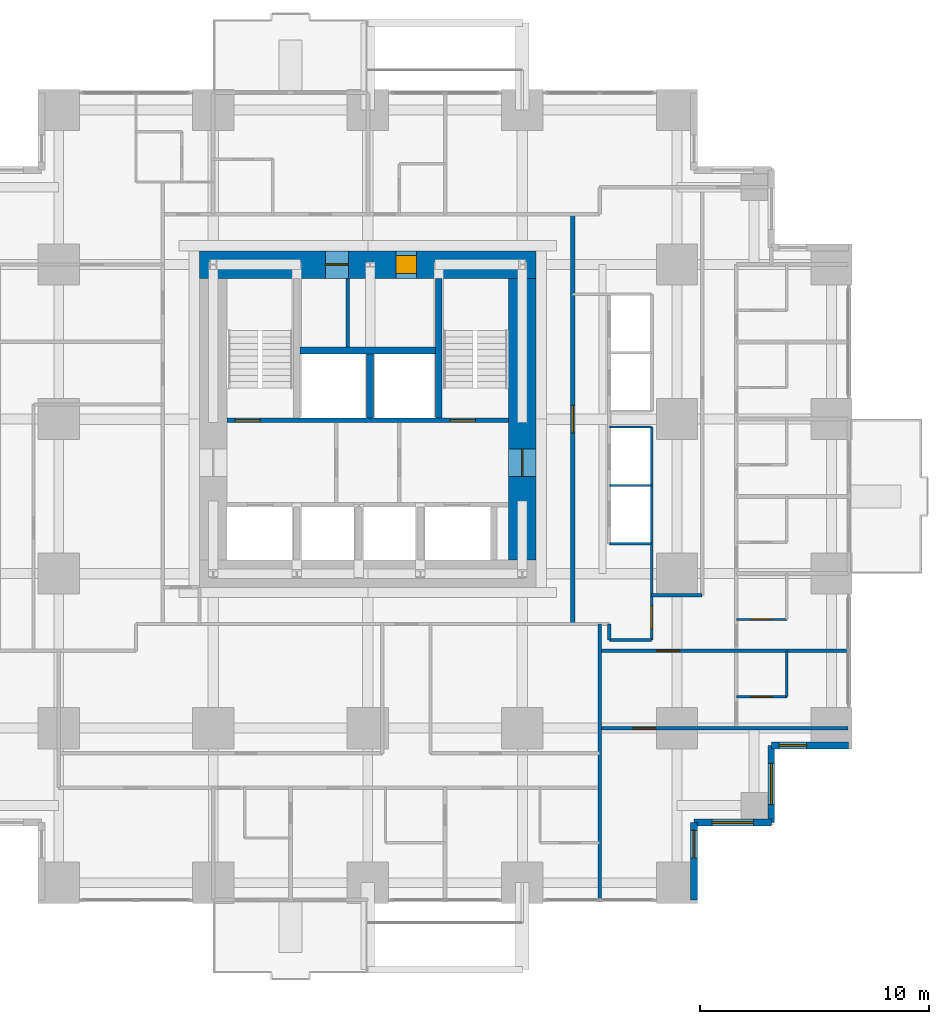
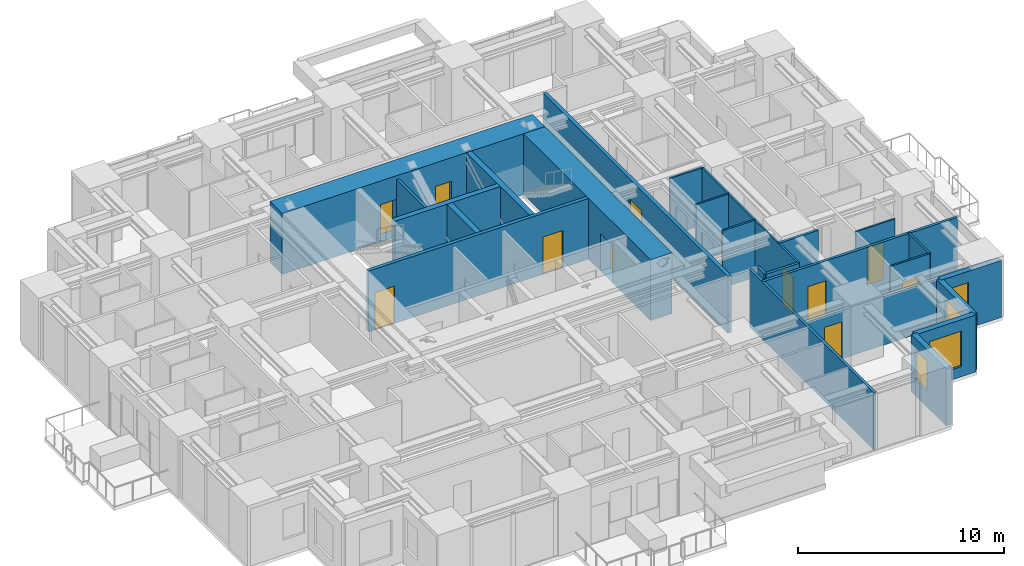
# One storey, part 9 of 13: 25 walls, 11 doors, 4 windows, 15 openings.
"""IFC4 building model written with IfcOpenShell, lengths in metres."""

from ifc_helpers import new_model, si_unit, direction, frame, frame_2d, origin, place, context, subcontext, project, spatial, rectangle, extrude, material, layer, layer_set, type_object, element, fill, save


model = new_model("IFC4")

# Units and contexts
model_context = context("Model", 3, precision=1e-05, world=origin(), true_north=direction((0.0, 1.0)))
body_context = subcontext(model_context, "Body", "Model", "MODEL_VIEW")
ifc_project = project(units=[si_unit("LENGTHUNIT", "METRE"), si_unit("AREAUNIT", "SQUARE_METRE"), si_unit("VOLUMEUNIT", "CUBIC_METRE"), si_unit("PLANEANGLEUNIT", "RADIAN"), si_unit("MASSUNIT", "GRAM", prefix="KILO")], contexts=[model_context])

# Site, building, storey
site_placement = place(None, origin())
site = spatial("IfcSite", under=ifc_project, at=site_placement, CompositionType="ELEMENT")
building_placement = place(site_placement, origin())
building = spatial("IfcBuilding", under=site, at=building_placement, Name="Nyansa Garden Tower", CompositionType="ELEMENT")
storey_placement = place(building_placement, frame((0.0, 0.0, 94.5)))
storey = spatial("IfcBuildingStorey", under=building, at=storey_placement, Name="L25", CompositionType="ELEMENT", Elevation=94.5)

# Wall, openings, doors
ifc_material_1 = material(Name="Concrete C70/85", Category="concrete")
ifc_layer_1 = layer(ifc_material_1, 0.199951171875)
ifc_layer_set_1 = layer_set([ifc_layer_1], Name="Core inner wall CI200")
wall_type_1 = type_object("IfcWallType", Name="Core inner wall CI200", PredefinedType="SHEAR", material=ifc_layer_set_1)
wall_1_placement = place(storey_placement, frame((14.10009765625, 20.199951171875, 0.0), z_axis=(0.0, 0.0, 1.0), x_axis=(1.0, 0.0, 0.0)))
wall_1 = element("IfcWall", 1, at=wall_1_placement, inside=storey, type_object=wall_type_1, Name="Core inner wall L25", PredefinedType="SHEAR", context=body_context, shape_type="SweptSolid", body=[
    extrude(rectangle(XDim=12.2998046875, YDim=0.199951171875, at=frame_2d((6.14990234375, 0.0))), origin(), (0.0, 0.0, 1.0), 3.60009765625),
])
opening_1_placement = place(wall_1_placement, frame((0.35009765625, 0.0, 0.0)))
opening_1 = element("IfcOpeningElement", 2, at=opening_1_placement, cuts=wall_1, Name="Opening D05", PredefinedType="OPENING", context=body_context, shape_type="SweptSolid", body=[
    extrude(rectangle(XDim=1.10009765625, YDim=2.199951171875, at=frame_2d((0.550048828125, 1.10009765625))), frame((0.0, 0.10986328125, 0.0), z_axis=(0.0, -1.0, 0.0), x_axis=(1.0, 0.0, 0.0)), (0.0, 0.0, 1.0), 0.219970703125),
])
opening_2_placement = place(wall_1_placement, frame((9.75, 0.0, 0.0)))
opening_2 = element("IfcOpeningElement", 3, at=opening_2_placement, cuts=wall_1, Name="Opening D05", PredefinedType="OPENING", context=body_context, shape_type="SweptSolid", body=[
    extrude(rectangle(XDim=1.10009765625, YDim=2.199951171875, at=frame_2d((0.550048828125, 1.10009765625))), frame((0.0, 0.10986328125, 0.0), z_axis=(0.0, -1.0, 0.0), x_axis=(1.0, 0.0, 0.0)), (0.0, 0.0, 1.0), 0.219970703125),
])
ifc_material_2 = material(Name="Steel door, 120 minute fire resisting", Category="steel")
door_type_1 = type_object("IfcDoorType", Name="Stair door D05 1100x2200", OperationType="SINGLE_SWING_LEFT", PredefinedType="DOOR", material=ifc_material_2)
door_1_placement = place(opening_1_placement, origin())
door_1 = element("IfcDoor", 4, at=door_1_placement, inside=storey, type_object=door_type_1, Name="Stair S1 door", OperationType="SINGLE_SWING_LEFT", OverallHeight=2.199951171875, OverallWidth=1.10009765625, PredefinedType="DOOR", context=body_context, shape_type="SweptSolid", body=[
    extrude(rectangle(XDim=1.10009765625, YDim=2.199951171875, at=frame_2d((0.550048828125, 1.10009765625))), frame((0.0, 0.02490234375, 0.0), z_axis=(0.0, -1.0, 0.0), x_axis=(1.0, 0.0, 0.0)), (0.0, 0.0, 1.0), 0.050048828125),
])
fill(opening_1, door_1)
door_2_placement = place(opening_2_placement, origin())
door_2 = element("IfcDoor", 5, at=door_2_placement, inside=storey, type_object=door_type_1, Name="Stair S2 door", OperationType="SINGLE_SWING_LEFT", OverallHeight=2.199951171875, OverallWidth=1.10009765625, PredefinedType="DOOR", context=body_context, shape_type="SweptSolid", body=[
    extrude(rectangle(XDim=1.10009765625, YDim=2.199951171875, at=frame_2d((0.550048828125, 1.10009765625))), frame((0.0, 0.02490234375, 0.0), z_axis=(0.0, -1.0, 0.0), x_axis=(1.0, 0.0, 0.0)), (0.0, 0.0, 1.0), 0.050048828125),
])
fill(opening_2, door_2)

# Walls
ifc_material_3 = material(Name="Concrete C70/85", Category="concrete")
ifc_layer_2 = layer(ifc_material_3, 0.300048828125)
ifc_layer_set_2 = layer_set([ifc_layer_2], Name="Core inner wall CI300")
wall_type_2 = type_object("IfcWallType", Name="Core inner wall CI300", PredefinedType="SHEAR", material=ifc_layer_set_2)
wall_2_placement = place(storey_placement, frame((23.35009765625, 20.300048828125, 0.0), z_axis=(0.0, 0.0, 1.0), x_axis=(0.0, 1.0, 0.0)))
element("IfcWall", 6, at=wall_2_placement, inside=storey, type_object=wall_type_2, Name="Core inner wall L25", PredefinedType="SHEAR", context=body_context, shape_type="SweptSolid", body=[
    extrude(rectangle(XDim=6.099853515625, YDim=0.300048828125, at=frame_2d((3.0498046875, 0.0))), origin(), (0.0, 0.0, 1.0), 3.60009765625),
])
wall_3_placement = place(storey_placement, frame((20.35009765625, 20.300048828125, 0.0), z_axis=(0.0, 0.0, 1.0), x_axis=(0.0, 1.0, 0.0)))
element("IfcWall", 7, at=wall_3_placement, inside=storey, type_object=wall_type_2, Name="Core inner wall L25", PredefinedType="SHEAR", context=body_context, shape_type="SweptSolid", body=[
    extrude(rectangle(XDim=2.800048828125, YDim=0.300048828125, at=frame_2d((1.39990234375, 0.0))), origin(), (0.0, 0.0, 1.0), 3.60009765625),
])
wall_4_placement = place(storey_placement, frame((17.300048828125, 23.25, 0.0), z_axis=(0.0, 0.0, 1.0), x_axis=(1.0, 0.0, 0.0)))
element("IfcWall", 8, at=wall_4_placement, inside=storey, type_object=wall_type_2, Name="Core inner wall L25", PredefinedType="SHEAR", context=body_context, shape_type="SweptSolid", body=[
    extrude(rectangle(XDim=5.89990234375, YDim=0.300048828125, at=frame_2d((2.949951171875, 0.0))), origin(), (0.0, 0.0, 1.0), 3.60009765625),
])

# Wall, opening, door
ifc_material_4 = material(Name="Concrete C80/95", Category="concrete")
ifc_layer_3 = layer(ifc_material_4, 1.199951171875)
ifc_layer_set_3 = layer_set([ifc_layer_3], Name="Core wall CW1200")
wall_type_3 = type_object("IfcWallType", Name="Core wall CW1200", PredefinedType="SHEAR", material=ifc_layer_set_3)
wall_5_placement = place(storey_placement, frame((27.0, 14.10009765625, 0.0), z_axis=(0.0, 0.0, 1.0), x_axis=(0.0, 1.0, 0.0)))
wall_5 = element("IfcWall", 9, at=wall_5_placement, inside=storey, type_object=wall_type_3, Name="Core wall E L25", PredefinedType="SHEAR", context=body_context, shape_type="SweptSolid", body=[
    extrude(rectangle(XDim=12.2998046875, YDim=1.199951171875, at=frame_2d((6.14990234375, 0.0))), origin(), (0.0, 0.0, 1.0), 3.60009765625),
])
opening_3_placement = place(wall_5_placement, frame((3.64990234375, 0.0, 0.0)))
opening_3 = element("IfcOpeningElement", 10, at=opening_3_placement, cuts=wall_5, Name="Opening D06", PredefinedType="OPENING", context=body_context, shape_type="SweptSolid", body=[
    extrude(rectangle(XDim=1.199951171875, YDim=2.199951171875, at=frame_2d((0.60009765625, 1.10009765625))), frame((0.0, 0.60986328125, 0.0), z_axis=(0.0, -1.0, 0.0), x_axis=(1.0, 0.0, 0.0)), (0.0, 0.0, 1.0), 1.219970703125),
])
ifc_material_5 = material(Name="Steel door, 120 minute fire resisting", Category="steel")
door_type_2 = type_object("IfcDoorType", Name="Lobby door D06 1200x2200", OperationType="DOUBLE_DOOR_SINGLE_SWING", PredefinedType="DOOR", material=ifc_material_5)
door_3_placement = place(opening_3_placement, origin())
door_3 = element("IfcDoor", 11, at=door_3_placement, inside=storey, type_object=door_type_2, Name="Lift lobby door east", OperationType="DOUBLE_DOOR_SINGLE_SWING", OverallHeight=2.199951171875, OverallWidth=1.199951171875, PredefinedType="DOOR", context=body_context, shape_type="SweptSolid", body=[
    extrude(rectangle(XDim=1.199951171875, YDim=2.199951171875, at=frame_2d((0.60009765625, 1.10009765625))), frame((0.0, 0.02490234375, 0.0), z_axis=(0.0, -1.0, 0.0), x_axis=(1.0, 0.0, 0.0)), (0.0, 0.0, 1.0), 0.050048828125),
])
fill(opening_3, door_3)

# Wall, openings, doors
wall_6_placement = place(storey_placement, frame((27.60009765625, 27.0, 0.0), z_axis=(0.0, 0.0, 1.0), x_axis=(-1.0, 0.0, 0.0)))
wall_6 = element("IfcWall", 12, at=wall_6_placement, inside=storey, type_object=wall_type_3, Name="Core wall N L25", PredefinedType="SHEAR", context=body_context, shape_type="SweptSolid", body=[
    extrude(rectangle(XDim=14.7001953125, YDim=1.199951171875, at=frame_2d((7.35009765625, 0.0))), origin(), (0.0, 0.0, 1.0), 3.60009765625),
])
opening_4_placement = place(wall_6_placement, frame((5.22509765625, 0.0, 0.0)))
opening_4 = element("IfcOpeningElement", 13, at=opening_4_placement, cuts=wall_6, Name="Opening D15", PredefinedType="OPENING", context=body_context, shape_type="SweptSolid", body=[
    extrude(rectangle(XDim=0.89990234375, YDim=2.199951171875, at=frame_2d((0.449951171875, 1.10009765625))), frame((0.0, 0.60986328125, 0.0), z_axis=(0.0, -1.0, 0.0), x_axis=(1.0, 0.0, 0.0)), (0.0, 0.0, 1.0), 1.219970703125),
])
opening_5_placement = place(wall_6_placement, frame((8.199951171875, 0.0, 0.0)))
opening_5 = element("IfcOpeningElement", 14, at=opening_5_placement, cuts=wall_6, Name="Opening D07", PredefinedType="OPENING", context=body_context, shape_type="SweptSolid", body=[
    extrude(rectangle(XDim=1.0, YDim=2.199951171875, at=frame_2d((0.5, 1.10009765625))), frame((0.0, 0.60986328125, 0.0), z_axis=(0.0, -1.0, 0.0), x_axis=(1.0, 0.0, 0.0)), (0.0, 0.0, 1.0), 1.219970703125),
])
ifc_material_6 = material(Name="Timber flush door, 60 minute fire resisting, self-closing", Category="wood")
door_type_3 = type_object("IfcDoorType", Name="Core room door D15 900x2200", OperationType="SINGLE_SWING_LEFT", PredefinedType="DOOR", material=ifc_material_6)
door_4_placement = place(opening_4_placement, origin())
door_4 = element("IfcDoor", 15, at=door_4_placement, inside=storey, type_object=door_type_3, Name="Core room door", OperationType="SINGLE_SWING_LEFT", OverallHeight=2.199951171875, OverallWidth=0.89990234375, PredefinedType="DOOR", context=body_context, shape_type="SweptSolid", body=[
    extrude(rectangle(XDim=0.89990234375, YDim=2.199951171875, at=frame_2d((0.449951171875, 1.10009765625))), frame((0.0, 0.39990234375, 0.0), z_axis=(0.0, -1.0, 0.0), x_axis=(1.0, 0.0, 0.0)), (0.0, 0.0, 1.0), 0.800048828125),
])
fill(opening_4, door_4)
ifc_material_7 = material(Name="Steel door, 120 minute fire resisting", Category="steel")
door_type_4 = type_object("IfcDoorType", Name="Riser door D07 1000x2200", OperationType="SINGLE_SWING_LEFT", PredefinedType="DOOR", material=ifc_material_7)
door_5_placement = place(opening_5_placement, origin())
door_5 = element("IfcDoor", 16, at=door_5_placement, inside=storey, type_object=door_type_4, Name="Riser and refuse room door", OperationType="SINGLE_SWING_LEFT", OverallHeight=2.199951171875, OverallWidth=1.0, PredefinedType="DOOR", context=body_context, shape_type="SweptSolid", body=[
    extrude(rectangle(XDim=1.0, YDim=2.199951171875, at=frame_2d((0.5, 1.10009765625))), frame((0.0, 0.02490234375, 0.0), z_axis=(0.0, -1.0, 0.0), x_axis=(1.0, 0.0, 0.0)), (0.0, 0.0, 1.0), 0.050048828125),
])
fill(opening_5, door_5)

# Wall, opening, door
ifc_material_8 = material(Name="Concrete blockwork, plastered, 60 minute fire resisting", Category="masonry")
ifc_layer_4 = layer(ifc_material_8, 0.199951171875)
ifc_layer_set_4 = layer_set([ifc_layer_4], Name="Corridor wall FW200")
wall_type_4 = type_object("IfcWallType", Name="Corridor wall FW200", PredefinedType="PARTITIONING", material=ifc_layer_set_4)
wall_7_placement = place(storey_placement, frame((29.199951171875, 11.300048828125, 0.0), z_axis=(0.0, 0.0, 1.0), x_axis=(0.0, 1.0, 0.0)))
wall_7 = element("IfcWall", 17, at=wall_7_placement, inside=storey, type_object=wall_type_4, Name="Corridor wall", PredefinedType="PARTITIONING", context=body_context, shape_type="SweptSolid", body=[
    extrude(rectangle(XDim=17.89990234375, YDim=0.199951171875, at=frame_2d((8.949951171875, 0.0))), origin(), (0.0, 0.0, 1.0), 3.375),
])
opening_6_placement = place(wall_7_placement, frame((8.35009765625, 0.0, 0.0)))
opening_6 = element("IfcOpeningElement", 18, at=opening_6_placement, cuts=wall_7, Name="Opening D06", PredefinedType="OPENING", context=body_context, shape_type="SweptSolid", body=[
    extrude(rectangle(XDim=1.199951171875, YDim=2.199951171875, at=frame_2d((0.60009765625, 1.10009765625))), frame((0.0, 0.10986328125, 0.0), z_axis=(0.0, -1.0, 0.0), x_axis=(1.0, 0.0, 0.0)), (0.0, 0.0, 1.0), 0.219970703125),
])
door_6_placement = place(opening_6_placement, origin())
door_6 = element("IfcDoor", 19, at=door_6_placement, inside=storey, type_object=door_type_2, Name="Low-rise lift lobby door", OperationType="DOUBLE_DOOR_SINGLE_SWING", OverallHeight=2.199951171875, OverallWidth=1.199951171875, PredefinedType="DOOR", context=body_context, shape_type="SweptSolid", body=[
    extrude(rectangle(XDim=1.199951171875, YDim=2.199951171875, at=frame_2d((0.60009765625, 1.10009765625))), frame((0.0, 0.02490234375, 0.0), z_axis=(0.0, -1.0, 0.0), x_axis=(1.0, 0.0, 0.0)), (0.0, 0.0, 1.0), 0.050048828125),
])
fill(opening_6, door_6)

# Walls
ifc_material_9 = material(Name="Steel-stud shaft wall, two layers fire-rated board, EI 120", Category="steel")
ifc_layer_5 = layer(ifc_material_9, 0.10009765625)
ifc_layer_set_5 = layer_set([ifc_layer_5], Name="Lift shaft wall SW100")
wall_type_5 = type_object("IfcWallType", Name="Lift shaft wall SW100", PredefinedType="SHEAR", material=ifc_layer_set_5)
for number, where, z_axis, x_axis, name in (
    (20, (30.800048828125, 14.800048828125, 0.0), (0.0, 0.0, 1.0), (1.0, 0.0, 0.0), "Lift shaft wall"),
    (21, (30.800048828125, 17.35009765625, 0.0), (0.0, 0.0, 1.0), (1.0, 0.0, 0.0), "Lift shaft wall"),
    (22, (30.800048828125, 19.89990234375, 0.0), (0.0, 0.0, 1.0), (1.0, 0.0, 0.0), "Lift shaft wall"),
):
    element("IfcWall", number, at=place(storey_placement, frame(where, z_axis=z_axis, x_axis=x_axis)), inside=storey, type_object=wall_type_5, Name=name, PredefinedType="SHEAR", context=body_context, shape_type="SweptSolid", body=[
        extrude(rectangle(XDim=1.849853515625, YDim=0.10009765625, at=frame_2d((0.9248046875, 0.0))), origin(), (0.0, 0.0, 1.0), 3.375),
    ])

# Wall, opening, door
wall_8_placement = place(storey_placement, frame((32.64990234375, 10.60009765625, 0.0), z_axis=(0.0, 0.0, 1.0), x_axis=(0.0, 1.0, 0.0)))
wall_8 = element("IfcWall", 23, at=wall_8_placement, inside=storey, type_object=wall_type_5, Name="Lift shaft wall", PredefinedType="SHEAR", context=body_context, shape_type="SweptSolid", body=[
    extrude(rectangle(XDim=9.2998046875, YDim=0.10009765625, at=frame_2d((4.64990234375, 0.0))), origin(), (0.0, 0.0, 1.0), 3.375),
])
opening_7_placement = place(wall_8_placement, frame((0.5, 0.0, 0.0)))
opening_7 = element("IfcOpeningElement", 24, at=opening_7_placement, cuts=wall_8, Name="Opening D03", PredefinedType="OPENING", context=body_context, shape_type="SweptSolid", body=[
    extrude(rectangle(XDim=1.0, YDim=2.199951171875, at=frame_2d((0.5, 1.10009765625))), frame((0.0, 0.06005859375, 0.0), z_axis=(0.0, -1.0, 0.0), x_axis=(1.0, 0.0, 0.0)), (0.0, 0.0, 1.0), 0.1201171875),
])
ifc_material_10 = material(Name="Timber flush door, 60 minute fire resisting", Category="wood")
door_type_5 = type_object("IfcDoorType", Name="Cluster entrance door D03 1000x2200", OperationType="SINGLE_SWING_LEFT", PredefinedType="DOOR", material=ifc_material_10)
door_7_placement = place(opening_7_placement, origin())
door_7 = element("IfcDoor", 25, at=door_7_placement, inside=storey, type_object=door_type_5, Name="Door L25-041", OperationType="SINGLE_SWING_LEFT", OverallHeight=2.199951171875, OverallWidth=1.0, PredefinedType="DOOR", context=body_context, shape_type="SweptSolid", body=[
    extrude(rectangle(XDim=1.0, YDim=2.199951171875, at=frame_2d((0.5, 1.10009765625))), frame((0.0, 0.02490234375, 0.0), z_axis=(0.0, -1.0, 0.0), x_axis=(1.0, 0.0, 0.0)), (0.0, 0.0, 1.0), 0.050048828125),
])
fill(opening_7, door_7)

# Walls
ifc_material_11 = material(Name="Blockwork, plastered both sides", Category="masonry")
ifc_layer_6 = layer(ifc_material_11, 0.14990234375)
ifc_layer_set_6 = layer_set([ifc_layer_6], Name="Partition PW150")
wall_type_6 = type_object("IfcWallType", Name="Partition PW150", PredefinedType="PARTITIONING", material=ifc_layer_set_6)
wall_9_placement = place(storey_placement, frame((19.375, 23.39990234375, 0.0), z_axis=(0.0, 0.0, 1.0), x_axis=(0.0, 1.0, 0.0)))
element("IfcWall", 26, at=wall_9_placement, inside=storey, type_object=wall_type_6, Name="Partition", PredefinedType="PARTITIONING", context=body_context, shape_type="SweptSolid", body=[
    extrude(rectangle(XDim=3.0, YDim=0.14990234375, at=frame_2d((1.5, 0.0))), origin(), (0.0, 0.0, 1.0), 3.375),
])
wall_10_placement = place(storey_placement, frame((30.375, -0.73388671875, 0.0), z_axis=(0.0, 0.0, 1.0), x_axis=(0.0, 1.0, 0.0)))
element("IfcWall", 27, at=wall_10_placement, inside=storey, type_object=wall_type_6, Name="Partition", PredefinedType="PARTITIONING", context=body_context, shape_type="SweptSolid", body=[
    extrude(rectangle(XDim=12.033935546875, YDim=0.14990234375, at=frame_2d((6.01708984375, 0.0))), origin(), (0.0, 0.0, 1.0), 3.375),
])

# Wall, opening, door
wall_11_placement = place(storey_placement, frame((30.375, 6.75, 0.0), z_axis=(0.0, 0.0, 1.0), x_axis=(1.0, 0.0, 0.0)))
wall_11 = element("IfcWall", 28, at=wall_11_placement, inside=storey, type_object=wall_type_6, Name="Partition", PredefinedType="PARTITIONING", context=body_context, shape_type="SweptSolid", body=[
    extrude(rectangle(XDim=10.85888671875, YDim=0.14990234375, at=frame_2d((5.429443359375, 0.0))), origin(), (0.0, 0.0, 1.0), 2.876953125),
])
opening_8_placement = place(wall_11_placement, frame((1.449951171875, 0.0, 0.0)))
opening_8 = element("IfcOpeningElement", 29, at=opening_8_placement, cuts=wall_11, Name="Opening D03", PredefinedType="OPENING", context=body_context, shape_type="SweptSolid", body=[
    extrude(rectangle(XDim=1.0, YDim=2.199951171875, at=frame_2d((0.5, 1.10009765625))), frame((0.0, 0.0849609375, 0.0), z_axis=(0.0, -1.0, 0.0), x_axis=(1.0, 0.0, 0.0)), (0.0, 0.0, 1.0), 0.169921875),
])
door_8_placement = place(opening_8_placement, origin())
door_8 = element("IfcDoor", 30, at=door_8_placement, inside=storey, type_object=door_type_5, Name="Door L25-027", OperationType="SINGLE_SWING_LEFT", OverallHeight=2.199951171875, OverallWidth=1.0, PredefinedType="DOOR", context=body_context, shape_type="SweptSolid", body=[
    extrude(rectangle(XDim=1.0, YDim=2.199951171875, at=frame_2d((0.5, 1.10009765625))), frame((0.0, 0.02490234375, 0.0), z_axis=(0.0, -1.0, 0.0), x_axis=(1.0, 0.0, 0.0)), (0.0, 0.0, 1.0), 0.050048828125),
])
fill(opening_8, door_8)

wall_12_placement = place(storey_placement, frame((30.375, 10.125, 0.0), z_axis=(0.0, 0.0, 1.0), x_axis=(1.0, 0.0, 0.0)))
wall_12 = element("IfcWall", 31, at=wall_12_placement, inside=storey, type_object=wall_type_6, Name="Partition", PredefinedType="PARTITIONING", context=body_context, shape_type="SweptSolid", body=[
    extrude(rectangle(XDim=10.85888671875, YDim=0.14990234375, at=frame_2d((5.429443359375, 0.0))), origin(), (0.0, 0.0, 1.0), 3.375),
])
opening_9_placement = place(wall_12_placement, frame((2.5, 0.0, 0.0)))
opening_9 = element("IfcOpeningElement", 32, at=opening_9_placement, cuts=wall_12, Name="Opening D03", PredefinedType="OPENING", context=body_context, shape_type="SweptSolid", body=[
    extrude(rectangle(XDim=1.0, YDim=2.199951171875, at=frame_2d((0.5, 1.10009765625))), frame((0.0, 0.0849609375, 0.0), z_axis=(0.0, -1.0, 0.0), x_axis=(1.0, 0.0, 0.0)), (0.0, 0.0, 1.0), 0.169921875),
])
door_9_placement = place(opening_9_placement, origin())
door_9 = element("IfcDoor", 33, at=door_9_placement, inside=storey, type_object=door_type_5, Name="Door L25-030", OperationType="SINGLE_SWING_LEFT", OverallHeight=2.199951171875, OverallWidth=1.0, PredefinedType="DOOR", context=body_context, shape_type="SweptSolid", body=[
    extrude(rectangle(XDim=1.0, YDim=2.199951171875, at=frame_2d((0.5, 1.10009765625))), frame((0.0, 0.02490234375, 0.0), z_axis=(0.0, -1.0, 0.0), x_axis=(1.0, 0.0, 0.0)), (0.0, 0.0, 1.0), 0.050048828125),
])
fill(opening_9, door_9)

# Walls
wall_13_placement = place(storey_placement, frame((30.800048828125, 10.60009765625, 0.0), z_axis=(0.0, 0.0, 1.0), x_axis=(0.0, 1.0, 0.0)))
element("IfcWall", 34, at=wall_13_placement, inside=storey, type_object=wall_type_6, Name="Partition", PredefinedType="PARTITIONING", context=body_context, shape_type="SweptSolid", body=[
    extrude(rectangle(XDim=0.699951171875, YDim=0.14990234375, at=frame_2d((0.35009765625, 0.0))), origin(), (0.0, 0.0, 1.0), 3.375),
])
wall_14_placement = place(storey_placement, frame((30.800048828125, 10.60009765625, 0.0), z_axis=(0.0, 0.0, 1.0), x_axis=(1.0, 0.0, 0.0)))
element("IfcWall", 35, at=wall_14_placement, inside=storey, type_object=wall_type_6, Name="Partition", PredefinedType="PARTITIONING", context=body_context, shape_type="SweptSolid", body=[
    extrude(rectangle(XDim=1.849853515625, YDim=0.14990234375, at=frame_2d((0.9248046875, 0.0))), origin(), (0.0, 0.0, 1.0), 3.375),
])
wall_15_placement = place(storey_placement, frame((32.64990234375, 12.550048828125, 0.0), z_axis=(0.0, 0.0, 1.0), x_axis=(1.0, 0.0, 0.0)))
element("IfcWall", 36, at=wall_15_placement, inside=storey, type_object=wall_type_6, Name="Partition", PredefinedType="PARTITIONING", context=body_context, shape_type="SweptSolid", body=[
    extrude(rectangle(XDim=2.2001953125, YDim=0.14990234375, at=frame_2d((1.10009765625, 0.0))), origin(), (0.0, 0.0, 1.0), 3.375),
])

# Wall, opening, window
ifc_material_12 = material(Name="Turquoise glazed tile on concrete blockwork", Category="masonry")
ifc_layer_7 = layer(ifc_material_12, 0.300048828125)
ifc_layer_set_7 = layer_set([ifc_layer_7], Name="Tiled corner wall TW300")
wall_type_7 = type_object("IfcWallType", Name="Tiled corner wall TW300", PredefinedType="SOLIDWALL", material=ifc_layer_set_7)
wall_16_placement = place(storey_placement, frame((34.5, -0.75, 0.0), z_axis=(0.0, 0.0, 1.0), x_axis=(0.0, 1.0, 0.0)))
wall_16 = element("IfcWall", 37, at=wall_16_placement, inside=storey, type_object=wall_type_7, Name="Tiled corner wall L25", PredefinedType="SOLIDWALL", context=body_context, shape_type="SweptSolid", body=[
    extrude(rectangle(XDim=3.375, YDim=0.300048828125, at=frame_2d((1.6875, 0.0))), origin(), (0.0, 0.0, 1.0), 3.375),
])
opening_10_placement = place(wall_16_placement, frame((1.83251953125, 0.0, 0.89990234375)))
opening_10 = element("IfcOpeningElement", 38, at=opening_10_placement, cuts=wall_16, Name="Opening W4", PredefinedType="OPENING", context=body_context, shape_type="SweptSolid", body=[
    extrude(rectangle(XDim=1.199951171875, YDim=1.800048828125, at=frame_2d((0.60009765625, 0.89990234375))), frame((0.0, 0.159912109375, 0.0), z_axis=(0.0, -1.0, 0.0), x_axis=(1.0, 0.0, 0.0)), (0.0, 0.0, 1.0), 0.320068359375),
])
ifc_material_13 = material(Name="Black aluminium frame, dark tinted double glazing", Category="aluminium")
window_type_1 = type_object("IfcWindowType", Name="Window W4 1200x1800", PartitioningType="SINGLE_PANEL", PredefinedType="WINDOW", material=ifc_material_13)
window_1_placement = place(opening_10_placement, origin())
window_1 = element("IfcWindow", 39, at=window_1_placement, inside=storey, type_object=window_type_1, Name="Corner window L25", OverallHeight=1.800048828125, OverallWidth=1.199951171875, PartitioningType="SINGLE_PANEL", PredefinedType="WINDOW", context=body_context, shape_type="SweptSolid", body=[
    extrude(rectangle(XDim=1.199951171875, YDim=1.800048828125, at=frame_2d((0.60009765625, 0.89990234375))), frame((0.0, 0.030029296875, 0.0), z_axis=(0.0, -1.0, 0.0), x_axis=(1.0, 0.0, 0.0)), (0.0, 0.0, 1.0), 0.06005859375),
])
fill(opening_10, window_1)

wall_17_placement = place(storey_placement, frame((34.5, 2.625, 0.0), z_axis=(0.0, 0.0, 1.0), x_axis=(1.0, 0.0, 0.0)))
wall_17 = element("IfcWall", 40, at=wall_17_placement, inside=storey, type_object=wall_type_7, Name="Tiled corner wall L25", PredefinedType="SOLIDWALL", context=body_context, shape_type="SweptSolid", body=[
    extrude(rectangle(XDim=3.375, YDim=0.300048828125, at=frame_2d((1.6875, 0.0))), origin(), (0.0, 0.0, 1.0), 3.375),
])
opening_11_placement = place(wall_17_placement, frame((0.78759765625, 0.0, 0.60009765625)))
opening_11 = element("IfcOpeningElement", 41, at=opening_11_placement, cuts=wall_17, Name="Opening W2", PredefinedType="OPENING", context=body_context, shape_type="SweptSolid", body=[
    extrude(rectangle(XDim=1.800048828125, YDim=2.10009765625, at=frame_2d((0.89990234375, 1.050048828125))), frame((0.0, 0.159912109375, 0.0), z_axis=(0.0, -1.0, 0.0), x_axis=(1.0, 0.0, 0.0)), (0.0, 0.0, 1.0), 0.320068359375),
])
ifc_material_14 = material(Name="Black aluminium frame, dark tinted double glazing", Category="aluminium")
window_type_2 = type_object("IfcWindowType", Name="Window W2 1800x2100", PartitioningType="SINGLE_PANEL", PredefinedType="WINDOW", material=ifc_material_14)
window_2_placement = place(opening_11_placement, origin())
window_2 = element("IfcWindow", 42, at=window_2_placement, inside=storey, type_object=window_type_2, Name="Corner window L25", OverallHeight=2.10009765625, OverallWidth=1.800048828125, PartitioningType="SINGLE_PANEL", PredefinedType="WINDOW", context=body_context, shape_type="SweptSolid", body=[
    extrude(rectangle(XDim=1.800048828125, YDim=2.10009765625, at=frame_2d((0.89990234375, 1.050048828125))), frame((0.0, 0.030029296875, 0.0), z_axis=(0.0, -1.0, 0.0), x_axis=(1.0, 0.0, 0.0)), (0.0, 0.0, 1.0), 0.06005859375),
])
fill(opening_11, window_2)

wall_18_placement = place(storey_placement, frame((37.875, 2.625, 0.0), z_axis=(0.0, 0.0, 1.0), x_axis=(0.0, 1.0, 0.0)))
wall_18 = element("IfcWall", 43, at=wall_18_placement, inside=storey, type_object=wall_type_7, Name="Tiled corner wall L25", PredefinedType="SOLIDWALL", context=body_context, shape_type="SweptSolid", body=[
    extrude(rectangle(XDim=3.375, YDim=0.300048828125, at=frame_2d((1.6875, 0.0))), origin(), (0.0, 0.0, 1.0), 3.375),
])
opening_12_placement = place(wall_18_placement, frame((0.78759765625, 0.0, 0.60009765625)))
opening_12 = element("IfcOpeningElement", 44, at=opening_12_placement, cuts=wall_18, Name="Opening W2", PredefinedType="OPENING", context=body_context, shape_type="SweptSolid", body=[
    extrude(rectangle(XDim=1.800048828125, YDim=2.10009765625, at=frame_2d((0.89990234375, 1.050048828125))), frame((0.0, 0.159912109375, 0.0), z_axis=(0.0, -1.0, 0.0), x_axis=(1.0, 0.0, 0.0)), (0.0, 0.0, 1.0), 0.320068359375),
])
window_3_placement = place(opening_12_placement, origin())
window_3 = element("IfcWindow", 45, at=window_3_placement, inside=storey, type_object=window_type_2, Name="Corner window L25", OverallHeight=2.10009765625, OverallWidth=1.800048828125, PartitioningType="SINGLE_PANEL", PredefinedType="WINDOW", context=body_context, shape_type="SweptSolid", body=[
    extrude(rectangle(XDim=1.800048828125, YDim=2.10009765625, at=frame_2d((0.89990234375, 1.050048828125))), frame((0.0, 0.030029296875, 0.0), z_axis=(0.0, -1.0, 0.0), x_axis=(1.0, 0.0, 0.0)), (0.0, 0.0, 1.0), 0.06005859375),
])
fill(opening_12, window_3)

wall_19_placement = place(storey_placement, frame((37.875, 6.0, 0.0), z_axis=(0.0, 0.0, 1.0), x_axis=(1.0, 0.0, 0.0)))
wall_19 = element("IfcWall", 46, at=wall_19_placement, inside=storey, type_object=wall_type_7, Name="Tiled corner wall L25", PredefinedType="SOLIDWALL", context=body_context, shape_type="SweptSolid", body=[
    extrude(rectangle(XDim=3.375, YDim=0.300048828125, at=frame_2d((1.6875, 0.0))), origin(), (0.0, 0.0, 1.0), 3.375),
])
opening_13_placement = place(wall_19_placement, frame((0.342529296875, 0.0, 0.89990234375)))
opening_13 = element("IfcOpeningElement", 47, at=opening_13_placement, cuts=wall_19, Name="Opening W4", PredefinedType="OPENING", context=body_context, shape_type="SweptSolid", body=[
    extrude(rectangle(XDim=1.199951171875, YDim=1.800048828125, at=frame_2d((0.60009765625, 0.89990234375))), frame((0.0, 0.159912109375, 0.0), z_axis=(0.0, -1.0, 0.0), x_axis=(1.0, 0.0, 0.0)), (0.0, 0.0, 1.0), 0.320068359375),
])
window_4_placement = place(opening_13_placement, origin())
window_4 = element("IfcWindow", 48, at=window_4_placement, inside=storey, type_object=window_type_1, Name="Corner window L25", OverallHeight=1.800048828125, OverallWidth=1.199951171875, PartitioningType="SINGLE_PANEL", PredefinedType="WINDOW", context=body_context, shape_type="SweptSolid", body=[
    extrude(rectangle(XDim=1.199951171875, YDim=1.800048828125, at=frame_2d((0.60009765625, 0.89990234375))), frame((0.0, 0.030029296875, 0.0), z_axis=(0.0, -1.0, 0.0), x_axis=(1.0, 0.0, 0.0)), (0.0, 0.0, 1.0), 0.06005859375),
])
fill(opening_13, window_4)

# Wall, opening, door
ifc_material_15 = material(Name="Moisture resistant board on steel studs, tiled", Category="steel")
ifc_layer_8 = layer(ifc_material_15, 0.10009765625)
ifc_layer_set_8 = layer_set([ifc_layer_8], Name="Wet wall PW100")
wall_type_8 = type_object("IfcWallType", Name="Wet wall PW100", PredefinedType="PARTITIONING", material=ifc_layer_set_8)
wall_20_placement = place(storey_placement, frame((36.35009765625, 8.125, 0.0), z_axis=(0.0, 0.0, 1.0), x_axis=(1.0, 0.0, 0.0)))
wall_20 = element("IfcWall", 49, at=wall_20_placement, inside=storey, type_object=wall_type_8, Name="Wet wall", PredefinedType="PARTITIONING", context=body_context, shape_type="SweptSolid", body=[
    extrude(rectangle(XDim=2.199951171875, YDim=0.10009765625, at=frame_2d((1.10009765625, 0.0))), origin(), (0.0, 0.0, 1.0), 3.375),
])
opening_14_placement = place(wall_20_placement, frame((0.64990234375, 0.0, 0.0)))
opening_14 = element("IfcOpeningElement", 50, at=opening_14_placement, cuts=wall_20, Name="Opening D02", PredefinedType="OPENING", context=body_context, shape_type="SweptSolid", body=[
    extrude(rectangle(XDim=0.89990234375, YDim=2.199951171875, at=frame_2d((0.449951171875, 1.10009765625))), frame((0.0, 0.06005859375, 0.0), z_axis=(0.0, -1.0, 0.0), x_axis=(1.0, 0.0, 0.0)), (0.0, 0.0, 1.0), 0.1201171875),
])
ifc_material_16 = material(Name="Timber flush door", Category="wood")
door_type_6 = type_object("IfcDoorType", Name="En-suite door D02 900x2200", OperationType="SINGLE_SWING_RIGHT", PredefinedType="DOOR", material=ifc_material_16)
door_10_placement = place(opening_14_placement, origin())
door_10 = element("IfcDoor", 51, at=door_10_placement, inside=storey, type_object=door_type_6, Name="Door L25-029", OperationType="SINGLE_SWING_RIGHT", OverallHeight=2.199951171875, OverallWidth=0.89990234375, PredefinedType="DOOR", context=body_context, shape_type="SweptSolid", body=[
    extrude(rectangle(XDim=0.89990234375, YDim=2.199951171875, at=frame_2d((0.449951171875, 1.10009765625))), frame((0.0, 0.02490234375, 0.0), z_axis=(0.0, -1.0, 0.0), x_axis=(1.0, 0.0, 0.0)), (0.0, 0.0, 1.0), 0.050048828125),
])
fill(opening_14, door_10)

wall_21_placement = place(storey_placement, frame((36.35009765625, 11.5, 0.0), z_axis=(0.0, 0.0, 1.0), x_axis=(1.0, 0.0, 0.0)))
wall_21 = element("IfcWall", 52, at=wall_21_placement, inside=storey, type_object=wall_type_8, Name="Wet wall", PredefinedType="PARTITIONING", context=body_context, shape_type="SweptSolid", body=[
    extrude(rectangle(XDim=2.199951171875, YDim=0.10009765625, at=frame_2d((1.10009765625, 0.0))), origin(), (0.0, 0.0, 1.0), 3.375),
])
opening_15_placement = place(wall_21_placement, frame((0.64990234375, 0.0, 0.0)))
opening_15 = element("IfcOpeningElement", 53, at=opening_15_placement, cuts=wall_21, Name="Opening D02", PredefinedType="OPENING", context=body_context, shape_type="SweptSolid", body=[
    extrude(rectangle(XDim=0.89990234375, YDim=2.199951171875, at=frame_2d((0.449951171875, 1.10009765625))), frame((0.0, 0.06005859375, 0.0), z_axis=(0.0, -1.0, 0.0), x_axis=(1.0, 0.0, 0.0)), (0.0, 0.0, 1.0), 0.1201171875),
])
door_11_placement = place(opening_15_placement, origin())
door_11 = element("IfcDoor", 54, at=door_11_placement, inside=storey, type_object=door_type_6, Name="Door L25-032", OperationType="SINGLE_SWING_RIGHT", OverallHeight=2.199951171875, OverallWidth=0.89990234375, PredefinedType="DOOR", context=body_context, shape_type="SweptSolid", body=[
    extrude(rectangle(XDim=0.89990234375, YDim=2.199951171875, at=frame_2d((0.449951171875, 1.10009765625))), frame((0.0, 0.02490234375, 0.0), z_axis=(0.0, -1.0, 0.0), x_axis=(1.0, 0.0, 0.0)), (0.0, 0.0, 1.0), 0.050048828125),
])
fill(opening_15, door_11)

# Wall
wall_22_placement = place(storey_placement, frame((38.550048828125, 8.125, 0.0), z_axis=(0.0, 0.0, 1.0), x_axis=(0.0, 1.0, 0.0)))
element("IfcWall", 55, at=wall_22_placement, inside=storey, type_object=wall_type_8, Name="Wet wall", PredefinedType="PARTITIONING", context=body_context, shape_type="SweptSolid", body=[
    extrude(rectangle(XDim=2.0, YDim=0.10009765625, at=frame_2d((1.0, 0.0))), origin(), (0.0, 0.0, 1.0), 3.375),
])

save(model, "model.ifc")
